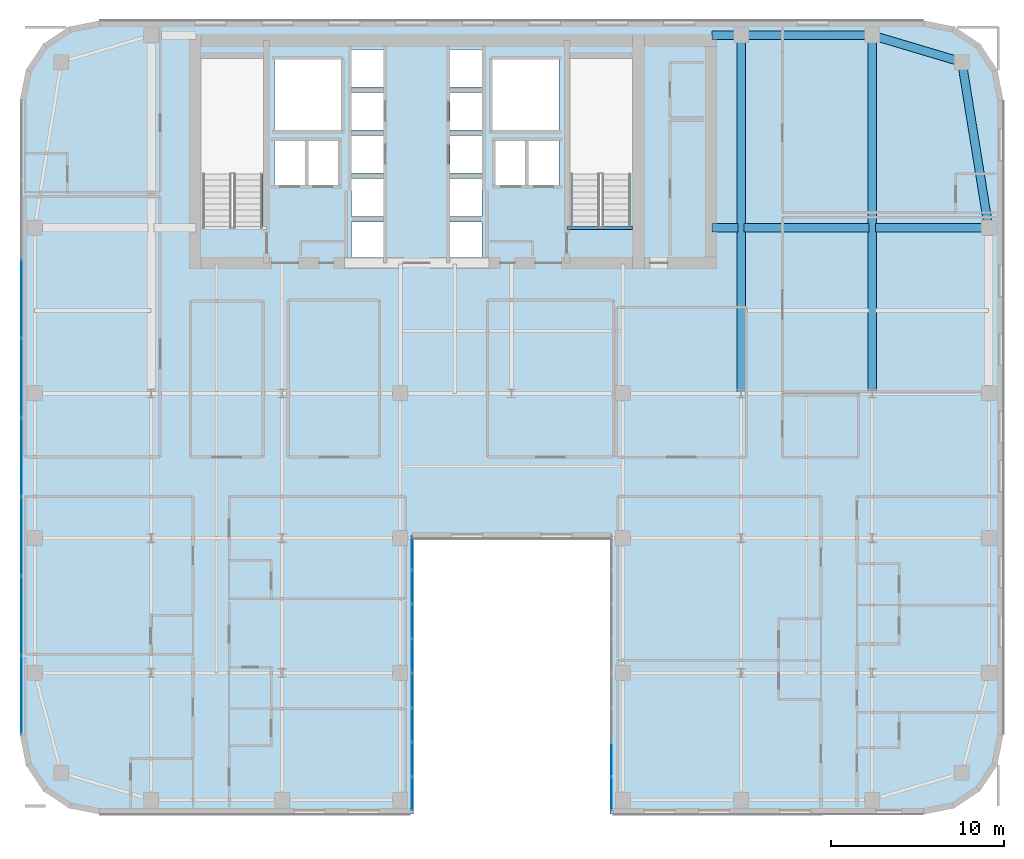
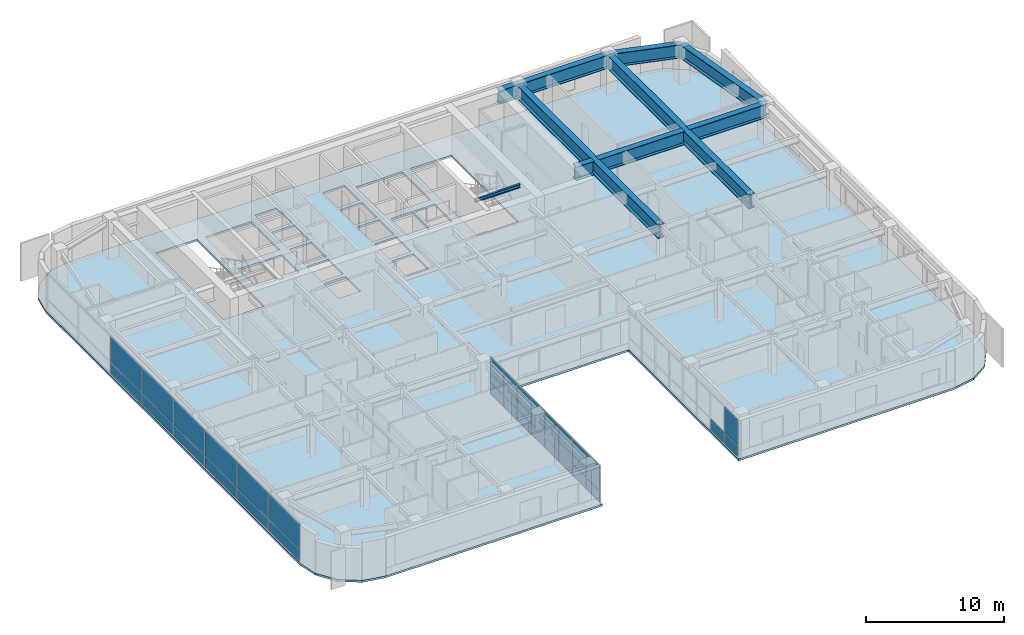
# One storey, part 25 of 37: 31 plates, 10 beams, 1 slab, 3 elements without a shape of their own.
"""IFC4 building model written with IfcOpenShell, lengths in metres."""

from ifc_helpers import new_model, si_unit, direction, frame, origin, origin_2d, place, context, subcontext, project, spatial, polyline, rectangle, i_section, outline, extrude, source, transform, mapped, material, layer, layer_set, material_profile, profile_set, type_object, type_shapes, element, aggregate, save


model = new_model("IFC4")

# Units and contexts
model_context = context("Model", 3, precision=1e-05, world=origin(), true_north=direction((0.0, 1.0)))
body_context = subcontext(model_context, "Body", "Model", "MODEL_VIEW")
ifc_project = project(units=[si_unit("LENGTHUNIT", "METRE"), si_unit("AREAUNIT", "SQUARE_METRE"), si_unit("VOLUMEUNIT", "CUBIC_METRE"), si_unit("PLANEANGLEUNIT", "RADIAN"), si_unit("MASSUNIT", "GRAM", prefix="KILO")], contexts=[model_context])

# Site, building, storey
site_placement = place(None, origin())
site = spatial("IfcSite", under=ifc_project, at=site_placement, CompositionType="ELEMENT")
building_placement = place(site_placement, origin())
building = spatial("IfcBuilding", under=site, at=building_placement, Name="Tolvann Quenvar Hotel", CompositionType="ELEMENT")
storey_placement = place(building_placement, frame((0.0, 0.0, 104.449951171875)))
storey = spatial("IfcBuildingStorey", under=building, at=storey_placement, Name="L26", CompositionType="ELEMENT", Elevation=104.449951171875)

# Beams
ifc_material_1 = material(Name="Steel Grade 350", Category="steel")
ifc_material_profile_1 = material_profile(ifc_material_1, i_section(OverallWidth=0.5, OverallDepth=1.199951171875, WebThickness=0.01611328125, FlangeThickness=0.0400390625, at=origin_2d()), Name="1200WB455")
ifc_profile_set_1 = profile_set([ifc_material_profile_1], Name="Steel Grade 350")
beam_type_1 = type_object("IfcBeamType", Name="BM_TG_1200WB455", PredefinedType="USERDEFINED", material=ifc_profile_set_1)
shared_shape_1 = source(origin(), body_context, "Body", "SweptSolid", [
    extrude(i_section(OverallWidth=0.5, OverallDepth=1.199951171875, WebThickness=0.01611328125, FlangeThickness=0.0400390625, at=origin_2d()), origin(), (0.0, 0.0, 1.0), 7.599853515625),
])
beam_1_placement = place(storey_placement, frame((49.39990234375, 45.14990234375, 2.77001953125), z_axis=(-1.0, 0.0, 0.0), x_axis=(0.0, -1.0, 0.0)))
element("IfcBeam", 1, at=beam_1_placement, inside=storey, type_object=beam_type_1, Name="BM-L26-FLK-E4", ObjectType="TRANSFER GIRDER", PredefinedType="USERDEFINED", context=body_context, shape_type="MappedRepresentation", body=[
    mapped(shared_shape_1, transform((0.0, 0.0, 0.0), x_axis=(1.0, 0.0, 0.0), y_axis=(0.0, 1.0, 0.0), z_axis=(0.0, 0.0, 1.0), scale=1.0)),
])
shared_shape_2 = source(origin(), body_context, "Body", "SweptSolid", [
    extrude(i_section(OverallWidth=0.5, OverallDepth=1.199951171875, WebThickness=0.01611328125, FlangeThickness=0.0400390625, at=origin_2d()), origin(), (0.0, 0.0, 1.0), 20.75),
])
for number, where, z_axis, x_axis, name in (
    (2, (41.800048828125, 24.39990234375, 2.77001953125), (0.0, 1.0, 0.0), (-1.0, 0.0, 0.0), "BM-L26-FLK-EH"),
    (3, (49.39990234375, 24.39990234375, 2.77001953125), (0.0, 1.0, 0.0), (-1.0, 0.0, 0.0), "BM-L26-FLK-EI"),
):
    element("IfcBeam", number, at=place(storey_placement, frame(where, z_axis=z_axis, x_axis=x_axis)), inside=storey, type_object=beam_type_1, Name=name, ObjectType="TRANSFER GIRDER", PredefinedType="USERDEFINED", context=body_context, shape_type="MappedRepresentation", body=[
        mapped(shared_shape_2, transform((0.0, 0.0, 0.0), x_axis=(1.0, 0.0, 0.0), y_axis=(0.0, 1.0, 0.0), z_axis=(0.0, 0.0, 1.0), scale=1.0)),
    ])
shared_shape_3 = source(origin(), body_context, "Body", "SweptSolid", [
    extrude(i_section(OverallWidth=0.5, OverallDepth=1.199951171875, WebThickness=0.01611328125, FlangeThickness=0.0400390625, at=origin_2d()), origin(), (0.0, 0.0, 1.0), 6.56982421875),
])
beam_2_placement = place(storey_placement, frame((49.580078125, 34.0, 2.77001953125), z_axis=(1.0, 0.0, 0.0), x_axis=(0.0, 1.0, 0.0)))
element("IfcBeam", 4, at=beam_2_placement, inside=storey, type_object=beam_type_1, Name="BM-L26-CTE-JD6C", ObjectType="TRANSFER GIRDER", PredefinedType="USERDEFINED", context=body_context, shape_type="MappedRepresentation", body=[
    mapped(shared_shape_3, transform((0.0, 0.0, 0.0), x_axis=(1.0, 0.0, 0.0), y_axis=(0.0, 1.0, 0.0), z_axis=(0.0, 0.0, 1.0), scale=1.0)),
])
shared_shape_4 = source(origin(), body_context, "Body", "SweptSolid", [
    extrude(i_section(OverallWidth=0.5, OverallDepth=1.199951171875, WebThickness=0.01611328125, FlangeThickness=0.0400390625, at=origin_2d()), origin(), (0.0, 0.0, 1.0), 9.724365234375),
])
beam_3_placement = place(storey_placement, frame((56.14990234375, 34.0, 2.77001953125), z_axis=(-0.159372939192, 0.987218449105, 0.0), x_axis=(-0.987218449105, -0.159372939192, 0.0)))
element("IfcBeam", 5, at=beam_3_placement, inside=storey, type_object=beam_type_1, Name="BM-L26-FLK-E2", ObjectType="TRANSFER GIRDER", PredefinedType="USERDEFINED", context=body_context, shape_type="MappedRepresentation", body=[
    mapped(shared_shape_4, transform((0.0, 0.0, 0.0), x_axis=(1.0, 0.0, 0.0), y_axis=(0.0, 1.0, 0.0), z_axis=(0.0, 0.0, 1.0), scale=1.0)),
])
shared_shape_5 = source(origin(), body_context, "Body", "SweptSolid", [
    extrude(i_section(OverallWidth=0.5, OverallDepth=1.199951171875, WebThickness=0.01611328125, FlangeThickness=0.0400390625, at=origin_2d()), origin(), (0.0, 0.0, 1.0), 5.42626953125),
])
beam_4_placement = place(storey_placement, frame((54.60009765625, 43.60009765625, 2.77001953125), z_axis=(-0.958344815522, 0.285613750654, 0.0), x_axis=(-0.285613750654, -0.958344815522, 0.0)))
element("IfcBeam", 6, at=beam_4_placement, inside=storey, type_object=beam_type_1, Name="BM-L26-FLK-E3", ObjectType="TRANSFER GIRDER", PredefinedType="USERDEFINED", context=body_context, shape_type="MappedRepresentation", body=[
    mapped(shared_shape_5, transform((0.0, 0.0, 0.0), x_axis=(1.0, 0.0, 0.0), y_axis=(0.0, 1.0, 0.0), z_axis=(0.0, 0.0, 1.0), scale=1.0)),
])
shared_shape_6 = source(origin(), body_context, "Body", "SweptSolid", [
    extrude(i_section(OverallWidth=0.5, OverallDepth=1.199951171875, WebThickness=0.01611328125, FlangeThickness=0.0400390625, at=origin_2d()), origin(), (0.0, 0.0, 1.0), 1.699951171875),
])
beam_5_placement = place(storey_placement, frame((40.10009765625, 45.14990234375, 2.77001953125), z_axis=(1.0, 0.0, 0.0), x_axis=(0.0, 1.0, 0.0)))
element("IfcBeam", 7, at=beam_5_placement, inside=storey, type_object=beam_type_1, Name="BM-L26-CTE-HN", ObjectType="TRANSFER GIRDER", PredefinedType="USERDEFINED", context=body_context, shape_type="MappedRepresentation", body=[
    mapped(shared_shape_6, transform((0.0, 0.0, 0.0), x_axis=(1.0, 0.0, 0.0), y_axis=(0.0, 1.0, 0.0), z_axis=(0.0, 0.0, 1.0), scale=1.0)),
])
shared_shape_7 = source(origin(), body_context, "Body", "SweptSolid", [
    extrude(i_section(OverallWidth=0.5, OverallDepth=1.199951171875, WebThickness=0.01611328125, FlangeThickness=0.0400390625, at=origin_2d()), origin(), (0.0, 0.0, 1.0), 1.52001953125),
])
beam_6_placement = place(storey_placement, frame((40.10009765625, 34.0, 2.77001953125), z_axis=(1.0, 0.0, 0.0), x_axis=(0.0, 1.0, 0.0)))
element("IfcBeam", 8, at=beam_6_placement, inside=storey, type_object=beam_type_1, Name="BM-L26-CTE-JD6A", ObjectType="TRANSFER GIRDER", PredefinedType="USERDEFINED", context=body_context, shape_type="MappedRepresentation", body=[
    mapped(shared_shape_7, transform((0.0, 0.0, 0.0), x_axis=(1.0, 0.0, 0.0), y_axis=(0.0, 1.0, 0.0), z_axis=(0.0, 0.0, 1.0), scale=1.0)),
])
shared_shape_8 = source(origin(), body_context, "Body", "SweptSolid", [
    extrude(i_section(OverallWidth=0.5, OverallDepth=1.199951171875, WebThickness=0.01611328125, FlangeThickness=0.0400390625, at=origin_2d()), origin(), (0.0, 0.0, 1.0), 7.239990234375),
])
type_shapes(beam_type_1, [shared_shape_1, shared_shape_2, shared_shape_3, shared_shape_4, shared_shape_5, shared_shape_6, shared_shape_7, shared_shape_8])
beam_7_placement = place(storey_placement, frame((41.97998046875, 34.0, 2.77001953125), z_axis=(1.0, 0.0, 0.0), x_axis=(0.0, 1.0, 0.0)))
element("IfcBeam", 9, at=beam_7_placement, inside=storey, type_object=beam_type_1, Name="BM-L26-CTE-JD6B", ObjectType="TRANSFER GIRDER", PredefinedType="USERDEFINED", context=body_context, shape_type="MappedRepresentation", body=[
    mapped(shared_shape_8, transform((0.0, 0.0, 0.0), x_axis=(1.0, 0.0, 0.0), y_axis=(0.0, 1.0, 0.0), z_axis=(0.0, 0.0, 1.0), scale=1.0)),
])
ifc_material_profile_2 = material_profile(ifc_material_1, i_section(OverallWidth=0.166015625, OverallDepth=0.306884765625, WebThickness=0.006591796875, FlangeThickness=0.01171875, FilletRadius=0.011474609375, at=origin_2d()), Name="310UB46")
ifc_profile_set_2 = profile_set([ifc_material_profile_2], Name="Steel Grade 350")
beam_type_2 = type_object("IfcBeamType", Name="BM_JOIST_310UB46", PredefinedType="JOIST", material=ifc_profile_set_2)
shared_shape_9 = source(origin(), body_context, "Body", "SweptSolid", [
    extrude(i_section(OverallWidth=0.166015625, OverallDepth=0.306884765625, WebThickness=0.006591796875, FlangeThickness=0.01171875, FilletRadius=0.011474609375, at=origin_2d()), origin(), (0.0, 0.0, 1.0), 3.800048828125),
])
type_shapes(beam_type_2, [shared_shape_9])
beam_8_placement = place(storey_placement, frame((31.699951171875, 33.97998046875, 3.216552734375), z_axis=(1.0, 0.0, 0.0), x_axis=(0.0, 1.0, 0.0)))
element("IfcBeam", 10, at=beam_8_placement, inside=storey, type_object=beam_type_2, Name="BM-HDR-STC2-L27", PredefinedType="JOIST", context=body_context, shape_type="MappedRepresentation", body=[
    mapped(shared_shape_9, transform((0.0, 0.0, 0.0), x_axis=(1.0, 0.0, 0.0), y_axis=(0.0, 1.0, 0.0), z_axis=(0.0, 0.0, 1.0), scale=1.0)),
])

# Slab
ifc_material_2 = material(Name="Concrete N40 (40 MPa)", Category="concrete")
ifc_layer_1 = layer(ifc_material_2, 0.179931640625)
ifc_layer_set_1 = layer_set([ifc_layer_1], Name="Concrete N40 (40 MPa)")
slab_type = type_object("IfcSlabType", Name="SLAB_TWR_180", PredefinedType="FLOOR", material=ifc_layer_set_1)
slab_placement = place(storey_placement, frame((0.0, 0.0, -0.179931640625)))
element("IfcSlab", 11, at=slab_placement, inside=storey, type_object=slab_type, Name="Level L26 Structural Floor Slab", PredefinedType="FLOOR", context=body_context, shape_type="SweptSolid", body=[
    extrude(outline(polyline([(0.0, 4.60009765625), (0.35009765625, 2.839599609375), (1.347412109375, 1.347412109375), (2.839599609375, 0.35009765625), (4.60009765625, 0.0), (22.800048828125, 0.0), (22.800048828125, 16.0), (34.199951171875, 16.0), (34.199951171875, 0.0), (52.39990234375, 0.0), (54.160400390625, 0.35009765625), (55.652587890625, 1.347412109375), (56.64990234375, 2.839599609375), (57.0, 4.60009765625), (57.0, 41.39990234375), (56.64990234375, 43.160400390625), (55.652587890625, 44.652587890625), (54.160400390625, 45.64990234375), (52.39990234375, 46.0), (4.60009765625, 46.0), (2.839599609375, 45.64990234375), (1.347412109375, 44.652587890625), (0.35009765625, 43.160400390625), (0.0, 41.39990234375), (0.0, 4.60009765625)]), holes=[polyline([(31.949951171875, 34.02490234375), (31.949951171875, 43.800048828125), (35.39990234375, 43.800048828125), (35.39990234375, 34.02490234375), (31.949951171875, 34.02490234375)]), polyline([(29.449951171875, 39.02001953125), (31.25, 39.02001953125), (31.25, 36.47998046875), (29.449951171875, 36.47998046875), (29.449951171875, 39.02001953125)]), polyline([(31.25, 43.75), (31.25, 39.64990234375), (27.39990234375, 39.64990234375), (27.39990234375, 43.75), (31.25, 43.75)]), polyline([(27.574951171875, 39.02001953125), (29.324951171875, 39.02001953125), (29.324951171875, 36.47998046875), (27.574951171875, 36.47998046875), (27.574951171875, 39.02001953125)]), polyline([(26.77001953125, 44.340087890625), (26.77001953125, 42.159912109375), (24.929931640625, 42.159912109375), (24.929931640625, 44.340087890625), (26.77001953125, 44.340087890625)]), polyline([(24.929931640625, 41.840087890625), (26.77001953125, 41.840087890625), (26.77001953125, 39.659912109375), (24.929931640625, 39.659912109375), (24.929931640625, 41.840087890625)]), polyline([(24.929931640625, 39.340087890625), (26.77001953125, 39.340087890625), (26.77001953125, 37.159912109375), (24.929931640625, 37.159912109375), (24.929931640625, 39.340087890625)]), polyline([(24.929931640625, 36.840087890625), (26.77001953125, 36.840087890625), (26.77001953125, 34.659912109375), (24.929931640625, 34.659912109375), (24.929931640625, 36.840087890625)]), polyline([(24.929931640625, 34.340087890625), (26.77001953125, 34.340087890625), (26.77001953125, 32.159912109375), (24.929931640625, 32.159912109375), (24.929931640625, 34.340087890625)]), polyline([(21.070068359375, 44.340087890625), (21.070068359375, 42.159912109375), (19.22998046875, 42.159912109375), (19.22998046875, 44.340087890625), (21.070068359375, 44.340087890625)]), polyline([(19.22998046875, 41.840087890625), (21.070068359375, 41.840087890625), (21.070068359375, 39.659912109375), (19.22998046875, 39.659912109375), (19.22998046875, 41.840087890625)]), polyline([(19.22998046875, 39.340087890625), (21.070068359375, 39.340087890625), (21.070068359375, 37.159912109375), (19.22998046875, 37.159912109375), (19.22998046875, 39.340087890625)]), polyline([(19.22998046875, 36.840087890625), (21.070068359375, 36.840087890625), (21.070068359375, 34.659912109375), (19.22998046875, 34.659912109375), (19.22998046875, 36.840087890625)]), polyline([(19.22998046875, 34.340087890625), (21.070068359375, 34.340087890625), (21.070068359375, 32.159912109375), (19.22998046875, 32.159912109375), (19.22998046875, 34.340087890625)]), polyline([(18.60009765625, 43.75), (18.60009765625, 39.64990234375), (14.75, 39.64990234375), (14.75, 43.75), (18.60009765625, 43.75)]), polyline([(16.675048828125, 39.02001953125), (18.425048828125, 39.02001953125), (18.425048828125, 36.47998046875), (16.675048828125, 36.47998046875), (16.675048828125, 39.02001953125)]), polyline([(14.75, 39.02001953125), (16.550048828125, 39.02001953125), (16.550048828125, 36.47998046875), (14.75, 36.47998046875), (14.75, 39.02001953125)]), polyline([(10.60009765625, 34.02490234375), (10.60009765625, 43.800048828125), (14.050048828125, 43.800048828125), (14.050048828125, 34.02490234375), (10.60009765625, 34.02490234375)])]), origin(), (0.0, 0.0, 1.0), 0.179931640625),
])

# Curtain wall, plates
ifc_material_3 = material(Name="Thermally broken anodised architectural aluminium 6063-T6 and laminated low-E glass", Category="aluminium")
ifc_layer_2 = layer(ifc_material_3, 0.179931640625)
ifc_layer_set_2 = layer_set([ifc_layer_2], Name="Thermally broken anodised architectural aluminium 6063-T6 and laminated low-E glass")
curtain_wall_type_1 = type_object("IfcCurtainWallType", Name="CW_SYS_SLOT_03", PredefinedType="USERDEFINED", material=ifc_layer_set_2)
curtain_wall_1_placement = place(storey_placement, origin())
curtain_wall_1 = element("IfcCurtainWall", 12, at=curtain_wall_1_placement, inside=storey, type_object=curtain_wall_type_1, Name="Curtain Wall CW-SLOT-03 (CWR-L26-E05)", ObjectType="UNITISED CURTAIN WALL", PredefinedType="USERDEFINED")
ifc_material_4 = material(Name="Low-iron laminated double glazing with solar-control coating", Category="glass")
ifc_layer_3 = layer(ifc_material_4, 0.028076171875)
ifc_layer_set_3 = layer_set([ifc_layer_3], Name="Low-iron laminated double glazing with solar-control coating")
plate_type = type_object("IfcPlateType", Name="CW_PAN_VISION_28", PredefinedType="CURTAIN_PANEL", material=ifc_layer_set_3)
shared_shape_10 = source(origin(), body_context, "Body", "SweptSolid", [
    extrude(rectangle(XDim=1.89501953125, YDim=0.028076171875, at=origin_2d()), origin(), (0.0, 0.0, 1.0), 0.9599609375),
])
plate_1_placement = place(storey_placement, frame((22.7099609375, 1.1923828125, 0.06005859375), z_axis=(0.0, 0.0, 1.0), x_axis=(0.0, 1.0, 0.0)))
plate_1 = element("IfcPlate", 13, at=plate_1_placement, type_object=plate_type, Name="CW-SLOT-03 panel 1.1", PredefinedType="CURTAIN_PANEL", context=body_context, shape_type="MappedRepresentation", body=[
    mapped(shared_shape_10, transform((0.0, 0.0, 0.0), x_axis=(1.0, 0.0, 0.0), y_axis=(0.0, 1.0, 0.0), z_axis=(0.0, 0.0, 1.0), scale=1.0)),
])
plate_2_placement = place(storey_placement, frame((22.7099609375, 15.157470703125, 0.06005859375), z_axis=(0.0, 0.0, 1.0), x_axis=(0.0, 1.0, 0.0)))
plate_2 = element("IfcPlate", 14, at=plate_2_placement, type_object=plate_type, Name="CW-SLOT-03 panel 8.1", PredefinedType="CURTAIN_PANEL", context=body_context, shape_type="MappedRepresentation", body=[
    mapped(shared_shape_10, transform((0.0, 0.0, 0.0), x_axis=(1.0, 0.0, 0.0), y_axis=(0.0, 1.0, 0.0), z_axis=(0.0, 0.0, 1.0), scale=1.0)),
])

# Curtain wall, plate
curtain_wall_2_placement = place(storey_placement, origin())
curtain_wall_2 = element("IfcCurtainWall", 15, at=curtain_wall_2_placement, inside=storey, type_object=curtain_wall_type_1, Name="Curtain Wall CW-SLOT-03 (CWR-L26-E07)", ObjectType="UNITISED CURTAIN WALL", PredefinedType="USERDEFINED")
plate_3_placement = place(storey_placement, frame((34.2900390625, 1.1923828125, 0.06005859375), z_axis=(0.0, 0.0, 1.0), x_axis=(0.0, -1.0, 0.0)))
plate_3 = element("IfcPlate", 16, at=plate_3_placement, type_object=plate_type, Name="CW-SLOT-03 panel 8.1", PredefinedType="CURTAIN_PANEL", context=body_context, shape_type="MappedRepresentation", body=[
    mapped(shared_shape_10, transform((0.0, 0.0, 0.0), x_axis=(1.0, 0.0, 0.0), y_axis=(0.0, 1.0, 0.0), z_axis=(0.0, 0.0, 1.0), scale=1.0)),
])

# Plate
shared_shape_11 = source(origin(), body_context, "Body", "SweptSolid", [
    extrude(rectangle(XDim=1.89501953125, YDim=0.028076171875, at=origin_2d()), origin(), (0.0, 0.0, 1.0), 2.22998046875),
])
plate_4_placement = place(storey_placement, frame((22.7099609375, 1.1923828125, 1.080078125), z_axis=(0.0, 0.0, 1.0), x_axis=(0.0, 1.0, 0.0)))
plate_4 = element("IfcPlate", 17, at=plate_4_placement, type_object=plate_type, Name="CW-SLOT-03 panel 1.2", PredefinedType="CURTAIN_PANEL", context=body_context, shape_type="MappedRepresentation", body=[
    mapped(shared_shape_11, transform((0.0, 0.0, 0.0), x_axis=(1.0, 0.0, 0.0), y_axis=(0.0, 1.0, 0.0), z_axis=(0.0, 0.0, 1.0), scale=1.0)),
])

plate_5_placement = place(storey_placement, frame((22.7099609375, 15.157470703125, 1.080078125), z_axis=(0.0, 0.0, 1.0), x_axis=(0.0, 1.0, 0.0)))
plate_5 = element("IfcPlate", 18, at=plate_5_placement, type_object=plate_type, Name="CW-SLOT-03 panel 8.2", PredefinedType="CURTAIN_PANEL", context=body_context, shape_type="MappedRepresentation", body=[
    mapped(shared_shape_11, transform((0.0, 0.0, 0.0), x_axis=(1.0, 0.0, 0.0), y_axis=(0.0, 1.0, 0.0), z_axis=(0.0, 0.0, 1.0), scale=1.0)),
])

plate_6_placement = place(storey_placement, frame((34.2900390625, 1.1923828125, 1.080078125), z_axis=(0.0, 0.0, 1.0), x_axis=(0.0, -1.0, 0.0)))
plate_6 = element("IfcPlate", 19, at=plate_6_placement, type_object=plate_type, Name="CW-SLOT-03 panel 8.2", PredefinedType="CURTAIN_PANEL", context=body_context, shape_type="MappedRepresentation", body=[
    mapped(shared_shape_11, transform((0.0, 0.0, 0.0), x_axis=(1.0, 0.0, 0.0), y_axis=(0.0, 1.0, 0.0), z_axis=(0.0, 0.0, 1.0), scale=1.0)),
])

shared_shape_12 = source(origin(), body_context, "Body", "SweptSolid", [
    extrude(rectangle(XDim=1.929931640625, YDim=0.028076171875, at=origin_2d()), origin(), (0.0, 0.0, 1.0), 0.9599609375),
])
plate_7_placement = place(storey_placement, frame((22.7099609375, 3.175048828125, 0.06005859375), z_axis=(0.0, 0.0, 1.0), x_axis=(0.0, 1.0, 0.0)))
plate_7 = element("IfcPlate", 20, at=plate_7_placement, type_object=plate_type, Name="CW-SLOT-03 panel 2.1", PredefinedType="CURTAIN_PANEL", context=body_context, shape_type="MappedRepresentation", body=[
    mapped(shared_shape_12, transform((0.0, 0.0, 0.0), x_axis=(1.0, 0.0, 0.0), y_axis=(0.0, 1.0, 0.0), z_axis=(0.0, 0.0, 1.0), scale=1.0)),
])

plate_8_placement = place(storey_placement, frame((22.7099609375, 5.175048828125, 0.06005859375), z_axis=(0.0, 0.0, 1.0), x_axis=(0.0, 1.0, 0.0)))
plate_8 = element("IfcPlate", 21, at=plate_8_placement, type_object=plate_type, Name="CW-SLOT-03 panel 3.1", PredefinedType="CURTAIN_PANEL", context=body_context, shape_type="MappedRepresentation", body=[
    mapped(shared_shape_12, transform((0.0, 0.0, 0.0), x_axis=(1.0, 0.0, 0.0), y_axis=(0.0, 1.0, 0.0), z_axis=(0.0, 0.0, 1.0), scale=1.0)),
])

plate_9_placement = place(storey_placement, frame((22.7099609375, 7.175048828125, 0.06005859375), z_axis=(0.0, 0.0, 1.0), x_axis=(0.0, 1.0, 0.0)))
plate_9 = element("IfcPlate", 22, at=plate_9_placement, type_object=plate_type, Name="CW-SLOT-03 panel 4.1", PredefinedType="CURTAIN_PANEL", context=body_context, shape_type="MappedRepresentation", body=[
    mapped(shared_shape_12, transform((0.0, 0.0, 0.0), x_axis=(1.0, 0.0, 0.0), y_axis=(0.0, 1.0, 0.0), z_axis=(0.0, 0.0, 1.0), scale=1.0)),
])

plate_10_placement = place(storey_placement, frame((22.7099609375, 9.175048828125, 0.06005859375), z_axis=(0.0, 0.0, 1.0), x_axis=(0.0, 1.0, 0.0)))
plate_10 = element("IfcPlate", 23, at=plate_10_placement, type_object=plate_type, Name="CW-SLOT-03 panel 5.1", PredefinedType="CURTAIN_PANEL", context=body_context, shape_type="MappedRepresentation", body=[
    mapped(shared_shape_12, transform((0.0, 0.0, 0.0), x_axis=(1.0, 0.0, 0.0), y_axis=(0.0, 1.0, 0.0), z_axis=(0.0, 0.0, 1.0), scale=1.0)),
])

plate_11_placement = place(storey_placement, frame((22.7099609375, 11.175048828125, 0.06005859375), z_axis=(0.0, 0.0, 1.0), x_axis=(0.0, 1.0, 0.0)))
plate_11 = element("IfcPlate", 24, at=plate_11_placement, type_object=plate_type, Name="CW-SLOT-03 panel 6.1", PredefinedType="CURTAIN_PANEL", context=body_context, shape_type="MappedRepresentation", body=[
    mapped(shared_shape_12, transform((0.0, 0.0, 0.0), x_axis=(1.0, 0.0, 0.0), y_axis=(0.0, 1.0, 0.0), z_axis=(0.0, 0.0, 1.0), scale=1.0)),
])

plate_12_placement = place(storey_placement, frame((22.7099609375, 13.175048828125, 0.06005859375), z_axis=(0.0, 0.0, 1.0), x_axis=(0.0, 1.0, 0.0)))
plate_12 = element("IfcPlate", 25, at=plate_12_placement, type_object=plate_type, Name="CW-SLOT-03 panel 7.1", PredefinedType="CURTAIN_PANEL", context=body_context, shape_type="MappedRepresentation", body=[
    mapped(shared_shape_12, transform((0.0, 0.0, 0.0), x_axis=(1.0, 0.0, 0.0), y_axis=(0.0, 1.0, 0.0), z_axis=(0.0, 0.0, 1.0), scale=1.0)),
])

plate_13_placement = place(storey_placement, frame((34.2900390625, 3.175048828125, 0.06005859375), z_axis=(0.0, 0.0, 1.0), x_axis=(0.0, -1.0, 0.0)))
plate_13 = element("IfcPlate", 26, at=plate_13_placement, type_object=plate_type, Name="CW-SLOT-03 panel 7.1", PredefinedType="CURTAIN_PANEL", context=body_context, shape_type="MappedRepresentation", body=[
    mapped(shared_shape_12, transform((0.0, 0.0, 0.0), x_axis=(1.0, 0.0, 0.0), y_axis=(0.0, 1.0, 0.0), z_axis=(0.0, 0.0, 1.0), scale=1.0)),
])

aggregate(curtain_wall_2, [plate_13, plate_3, plate_6])

shared_shape_13 = source(origin(), body_context, "Body", "SweptSolid", [
    extrude(rectangle(XDim=1.929931640625, YDim=0.028076171875, at=origin_2d()), origin(), (0.0, 0.0, 1.0), 2.22998046875),
])
plate_14_placement = place(storey_placement, frame((22.7099609375, 3.175048828125, 1.080078125), z_axis=(0.0, 0.0, 1.0), x_axis=(0.0, 1.0, 0.0)))
plate_14 = element("IfcPlate", 27, at=plate_14_placement, type_object=plate_type, Name="CW-SLOT-03 panel 2.2", PredefinedType="CURTAIN_PANEL", context=body_context, shape_type="MappedRepresentation", body=[
    mapped(shared_shape_13, transform((0.0, 0.0, 0.0), x_axis=(1.0, 0.0, 0.0), y_axis=(0.0, 1.0, 0.0), z_axis=(0.0, 0.0, 1.0), scale=1.0)),
])

plate_15_placement = place(storey_placement, frame((22.7099609375, 5.175048828125, 1.080078125), z_axis=(0.0, 0.0, 1.0), x_axis=(0.0, 1.0, 0.0)))
plate_15 = element("IfcPlate", 28, at=plate_15_placement, type_object=plate_type, Name="CW-SLOT-03 panel 3.2", PredefinedType="CURTAIN_PANEL", context=body_context, shape_type="MappedRepresentation", body=[
    mapped(shared_shape_13, transform((0.0, 0.0, 0.0), x_axis=(1.0, 0.0, 0.0), y_axis=(0.0, 1.0, 0.0), z_axis=(0.0, 0.0, 1.0), scale=1.0)),
])

plate_16_placement = place(storey_placement, frame((22.7099609375, 7.175048828125, 1.080078125), z_axis=(0.0, 0.0, 1.0), x_axis=(0.0, 1.0, 0.0)))
plate_16 = element("IfcPlate", 29, at=plate_16_placement, type_object=plate_type, Name="CW-SLOT-03 panel 4.2", PredefinedType="CURTAIN_PANEL", context=body_context, shape_type="MappedRepresentation", body=[
    mapped(shared_shape_13, transform((0.0, 0.0, 0.0), x_axis=(1.0, 0.0, 0.0), y_axis=(0.0, 1.0, 0.0), z_axis=(0.0, 0.0, 1.0), scale=1.0)),
])

plate_17_placement = place(storey_placement, frame((22.7099609375, 9.175048828125, 1.080078125), z_axis=(0.0, 0.0, 1.0), x_axis=(0.0, 1.0, 0.0)))
plate_17 = element("IfcPlate", 30, at=plate_17_placement, type_object=plate_type, Name="CW-SLOT-03 panel 5.2", PredefinedType="CURTAIN_PANEL", context=body_context, shape_type="MappedRepresentation", body=[
    mapped(shared_shape_13, transform((0.0, 0.0, 0.0), x_axis=(1.0, 0.0, 0.0), y_axis=(0.0, 1.0, 0.0), z_axis=(0.0, 0.0, 1.0), scale=1.0)),
])

plate_18_placement = place(storey_placement, frame((22.7099609375, 11.175048828125, 1.080078125), z_axis=(0.0, 0.0, 1.0), x_axis=(0.0, 1.0, 0.0)))
plate_18 = element("IfcPlate", 31, at=plate_18_placement, type_object=plate_type, Name="CW-SLOT-03 panel 6.2", PredefinedType="CURTAIN_PANEL", context=body_context, shape_type="MappedRepresentation", body=[
    mapped(shared_shape_13, transform((0.0, 0.0, 0.0), x_axis=(1.0, 0.0, 0.0), y_axis=(0.0, 1.0, 0.0), z_axis=(0.0, 0.0, 1.0), scale=1.0)),
])

plate_19_placement = place(storey_placement, frame((22.7099609375, 13.175048828125, 1.080078125), z_axis=(0.0, 0.0, 1.0), x_axis=(0.0, 1.0, 0.0)))
plate_19 = element("IfcPlate", 32, at=plate_19_placement, type_object=plate_type, Name="CW-SLOT-03 panel 7.2", PredefinedType="CURTAIN_PANEL", context=body_context, shape_type="MappedRepresentation", body=[
    mapped(shared_shape_13, transform((0.0, 0.0, 0.0), x_axis=(1.0, 0.0, 0.0), y_axis=(0.0, 1.0, 0.0), z_axis=(0.0, 0.0, 1.0), scale=1.0)),
])

aggregate(curtain_wall_1, [plate_1, plate_4, plate_7, plate_14, plate_8, plate_15, plate_9, plate_16, plate_10, plate_17, plate_11, plate_18, plate_12, plate_19, plate_2, plate_5])

# Curtain wall, plates
ifc_layer_4 = layer(ifc_material_3, 0.179931640625)
ifc_layer_set_4 = layer_set([ifc_layer_4], Name="Thermally broken anodised architectural aluminium 6063-T6 and laminated low-E glass")
curtain_wall_type_2 = type_object("IfcCurtainWallType", Name="CW_SYS_BAND_04", PredefinedType="USERDEFINED", material=ifc_layer_set_4)
curtain_wall_3_placement = place(storey_placement, origin())
curtain_wall_3 = element("IfcCurtainWall", 33, at=curtain_wall_3_placement, inside=storey, type_object=curtain_wall_type_2, Name="Curtain Wall CW-BAND-04 (CWR-L26-E23)", ObjectType="UNITISED CURTAIN WALL", PredefinedType="USERDEFINED")
shared_shape_14 = source(origin(), body_context, "Body", "SweptSolid", [
    extrude(rectangle(XDim=4.49072265625, YDim=0.028076171875, at=origin_2d()), origin(), (0.0, 0.0, 1.0), 0.9599609375),
])
plate_20_placement = place(storey_placement, frame((0.090087890625, 6.9326171875, 0.06005859375), z_axis=(0.0, 0.0, 1.0), x_axis=(0.0, -1.0, 0.0)))
plate_20 = element("IfcPlate", 34, at=plate_20_placement, type_object=plate_type, Name="CW-BAND-04 panel 8.1", PredefinedType="CURTAIN_PANEL", context=body_context, shape_type="MappedRepresentation", body=[
    mapped(shared_shape_14, transform((0.0, 0.0, 0.0), x_axis=(1.0, 0.0, 0.0), y_axis=(0.0, 1.0, 0.0), z_axis=(0.0, 0.0, 1.0), scale=1.0)),
])
shared_shape_15 = source(origin(), body_context, "Body", "SweptSolid", [
    extrude(rectangle(XDim=4.49072265625, YDim=0.028076171875, at=origin_2d()), origin(), (0.0, 0.0, 1.0), 2.22998046875),
])
plate_21_placement = place(storey_placement, frame((0.090087890625, 6.9326171875, 1.080078125), z_axis=(0.0, 0.0, 1.0), x_axis=(0.0, -1.0, 0.0)))
plate_21 = element("IfcPlate", 35, at=plate_21_placement, type_object=plate_type, Name="CW-BAND-04 panel 8.2", PredefinedType="CURTAIN_PANEL", context=body_context, shape_type="MappedRepresentation", body=[
    mapped(shared_shape_15, transform((0.0, 0.0, 0.0), x_axis=(1.0, 0.0, 0.0), y_axis=(0.0, 1.0, 0.0), z_axis=(0.0, 0.0, 1.0), scale=1.0)),
])
shared_shape_16 = source(origin(), body_context, "Body", "SweptSolid", [
    extrude(rectangle(XDim=4.525634765625, YDim=0.028076171875, at=origin_2d()), origin(), (0.0, 0.0, 1.0), 0.9599609375),
])
plate_22_placement = place(storey_placement, frame((0.090087890625, 29.8935546875, 0.06005859375), z_axis=(0.0, 0.0, 1.0), x_axis=(0.0, -1.0, 0.0)))
plate_22 = element("IfcPlate", 36, at=plate_22_placement, type_object=plate_type, Name="CW-BAND-04 panel 3.1", PredefinedType="CURTAIN_PANEL", context=body_context, shape_type="MappedRepresentation", body=[
    mapped(shared_shape_16, transform((0.0, 0.0, 0.0), x_axis=(1.0, 0.0, 0.0), y_axis=(0.0, 1.0, 0.0), z_axis=(0.0, 0.0, 1.0), scale=1.0)),
])
plate_23_placement = place(storey_placement, frame((0.090087890625, 25.2978515625, 0.06005859375), z_axis=(0.0, 0.0, 1.0), x_axis=(0.0, -1.0, 0.0)))
plate_23 = element("IfcPlate", 37, at=plate_23_placement, type_object=plate_type, Name="CW-BAND-04 panel 4.1", PredefinedType="CURTAIN_PANEL", context=body_context, shape_type="MappedRepresentation", body=[
    mapped(shared_shape_16, transform((0.0, 0.0, 0.0), x_axis=(1.0, 0.0, 0.0), y_axis=(0.0, 1.0, 0.0), z_axis=(0.0, 0.0, 1.0), scale=1.0)),
])
plate_24_placement = place(storey_placement, frame((0.090087890625, 20.7021484375, 0.06005859375), z_axis=(0.0, 0.0, 1.0), x_axis=(0.0, -1.0, 0.0)))
plate_24 = element("IfcPlate", 38, at=plate_24_placement, type_object=plate_type, Name="CW-BAND-04 panel 5.1", PredefinedType="CURTAIN_PANEL", context=body_context, shape_type="MappedRepresentation", body=[
    mapped(shared_shape_16, transform((0.0, 0.0, 0.0), x_axis=(1.0, 0.0, 0.0), y_axis=(0.0, 1.0, 0.0), z_axis=(0.0, 0.0, 1.0), scale=1.0)),
])
plate_25_placement = place(storey_placement, frame((0.090087890625, 16.1064453125, 0.06005859375), z_axis=(0.0, 0.0, 1.0), x_axis=(0.0, -1.0, 0.0)))
plate_25 = element("IfcPlate", 39, at=plate_25_placement, type_object=plate_type, Name="CW-BAND-04 panel 6.1", PredefinedType="CURTAIN_PANEL", context=body_context, shape_type="MappedRepresentation", body=[
    mapped(shared_shape_16, transform((0.0, 0.0, 0.0), x_axis=(1.0, 0.0, 0.0), y_axis=(0.0, 1.0, 0.0), z_axis=(0.0, 0.0, 1.0), scale=1.0)),
])
plate_26_placement = place(storey_placement, frame((0.090087890625, 11.5107421875, 0.06005859375), z_axis=(0.0, 0.0, 1.0), x_axis=(0.0, -1.0, 0.0)))
plate_26 = element("IfcPlate", 40, at=plate_26_placement, type_object=plate_type, Name="CW-BAND-04 panel 7.1", PredefinedType="CURTAIN_PANEL", context=body_context, shape_type="MappedRepresentation", body=[
    mapped(shared_shape_16, transform((0.0, 0.0, 0.0), x_axis=(1.0, 0.0, 0.0), y_axis=(0.0, 1.0, 0.0), z_axis=(0.0, 0.0, 1.0), scale=1.0)),
])
shared_shape_17 = source(origin(), body_context, "Body", "SweptSolid", [
    extrude(rectangle(XDim=4.525634765625, YDim=0.028076171875, at=origin_2d()), origin(), (0.0, 0.0, 1.0), 2.22998046875),
])
type_shapes(plate_type, [shared_shape_10, shared_shape_11, shared_shape_12, shared_shape_13, shared_shape_14, shared_shape_15, shared_shape_16, shared_shape_17])
plate_27_placement = place(storey_placement, frame((0.090087890625, 29.8935546875, 1.080078125), z_axis=(0.0, 0.0, 1.0), x_axis=(0.0, -1.0, 0.0)))
plate_27 = element("IfcPlate", 41, at=plate_27_placement, type_object=plate_type, Name="CW-BAND-04 panel 3.2", PredefinedType="CURTAIN_PANEL", context=body_context, shape_type="MappedRepresentation", body=[
    mapped(shared_shape_17, transform((0.0, 0.0, 0.0), x_axis=(1.0, 0.0, 0.0), y_axis=(0.0, 1.0, 0.0), z_axis=(0.0, 0.0, 1.0), scale=1.0)),
])
plate_28_placement = place(storey_placement, frame((0.090087890625, 25.2978515625, 1.080078125), z_axis=(0.0, 0.0, 1.0), x_axis=(0.0, -1.0, 0.0)))
plate_28 = element("IfcPlate", 42, at=plate_28_placement, type_object=plate_type, Name="CW-BAND-04 panel 4.2", PredefinedType="CURTAIN_PANEL", context=body_context, shape_type="MappedRepresentation", body=[
    mapped(shared_shape_17, transform((0.0, 0.0, 0.0), x_axis=(1.0, 0.0, 0.0), y_axis=(0.0, 1.0, 0.0), z_axis=(0.0, 0.0, 1.0), scale=1.0)),
])
plate_29_placement = place(storey_placement, frame((0.090087890625, 20.7021484375, 1.080078125), z_axis=(0.0, 0.0, 1.0), x_axis=(0.0, -1.0, 0.0)))
plate_29 = element("IfcPlate", 43, at=plate_29_placement, type_object=plate_type, Name="CW-BAND-04 panel 5.2", PredefinedType="CURTAIN_PANEL", context=body_context, shape_type="MappedRepresentation", body=[
    mapped(shared_shape_17, transform((0.0, 0.0, 0.0), x_axis=(1.0, 0.0, 0.0), y_axis=(0.0, 1.0, 0.0), z_axis=(0.0, 0.0, 1.0), scale=1.0)),
])
plate_30_placement = place(storey_placement, frame((0.090087890625, 16.1064453125, 1.080078125), z_axis=(0.0, 0.0, 1.0), x_axis=(0.0, -1.0, 0.0)))
plate_30 = element("IfcPlate", 44, at=plate_30_placement, type_object=plate_type, Name="CW-BAND-04 panel 6.2", PredefinedType="CURTAIN_PANEL", context=body_context, shape_type="MappedRepresentation", body=[
    mapped(shared_shape_17, transform((0.0, 0.0, 0.0), x_axis=(1.0, 0.0, 0.0), y_axis=(0.0, 1.0, 0.0), z_axis=(0.0, 0.0, 1.0), scale=1.0)),
])
plate_31_placement = place(storey_placement, frame((0.090087890625, 11.5107421875, 1.080078125), z_axis=(0.0, 0.0, 1.0), x_axis=(0.0, -1.0, 0.0)))
plate_31 = element("IfcPlate", 45, at=plate_31_placement, type_object=plate_type, Name="CW-BAND-04 panel 7.2", PredefinedType="CURTAIN_PANEL", context=body_context, shape_type="MappedRepresentation", body=[
    mapped(shared_shape_17, transform((0.0, 0.0, 0.0), x_axis=(1.0, 0.0, 0.0), y_axis=(0.0, 1.0, 0.0), z_axis=(0.0, 0.0, 1.0), scale=1.0)),
])
aggregate(curtain_wall_3, [plate_22, plate_27, plate_23, plate_28, plate_24, plate_29, plate_25, plate_30, plate_26, plate_31, plate_20, plate_21])

save(model, "model.ifc")
